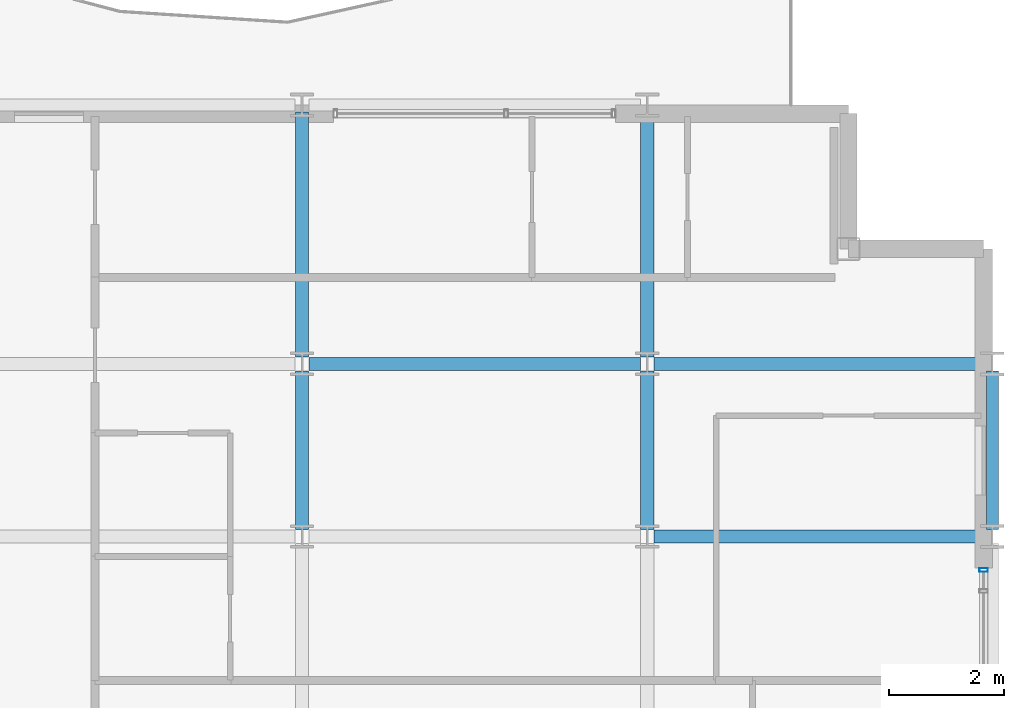
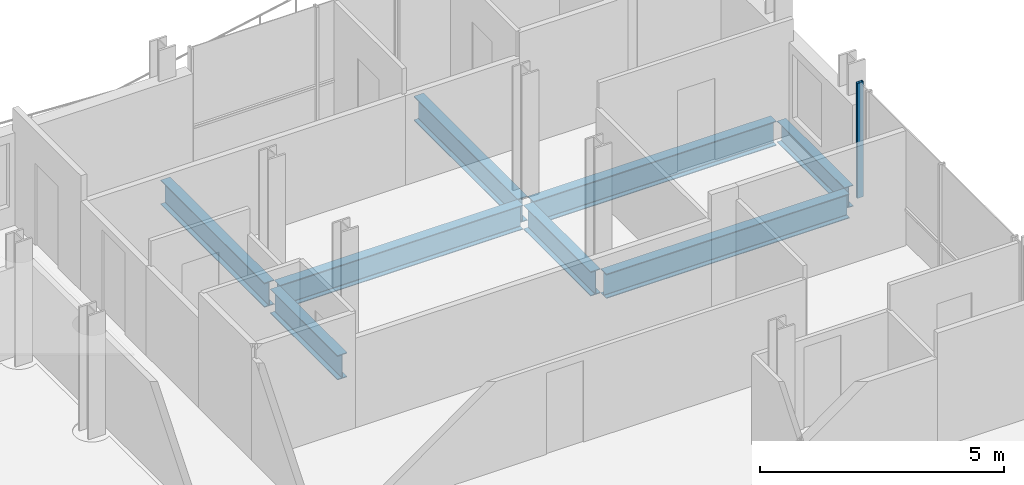
# One storey, part 22 of 41: 8 beams, 1 member, 1 element without a shape of its own.
"""IFC4 building model written with IfcOpenShell, lengths in metres."""

from ifc_helpers import new_model, si_unit, direction, frame, origin, origin_2d, place, context, subcontext, project, spatial, hollow_rectangle, i_section, extrude, material, layer, layer_set, material_profile, profile_set, type_object, element, aggregate, save


model = new_model("IFC4")

# Units and contexts
model_context = context("Model", 3, precision=1e-05, world=origin(), true_north=direction((0.0, 1.0)))
body_context = subcontext(model_context, "Body", "Model", "MODEL_VIEW")
ifc_project = project(units=[si_unit("LENGTHUNIT", "METRE"), si_unit("AREAUNIT", "SQUARE_METRE"), si_unit("VOLUMEUNIT", "CUBIC_METRE"), si_unit("PLANEANGLEUNIT", "RADIAN"), si_unit("MASSUNIT", "GRAM", prefix="KILO")], contexts=[model_context])

# Site, building, storey
site_placement = place(None, origin())
site = spatial("IfcSite", under=ifc_project, at=site_placement, CompositionType="ELEMENT")
building_placement = place(site_placement, origin())
building = spatial("IfcBuilding", under=site, at=building_placement, Name="Brevholm Reach", CompositionType="ELEMENT")
storey_placement = place(building_placement, frame((0.0, 0.0, 151.10009765625)))
storey = spatial("IfcBuildingStorey", under=building, at=storey_placement, Name="L45", CompositionType="ELEMENT", Elevation=151.10009765625)

# Beams
ifc_material_1 = material(Name="Structural Steel S355J2", Category="steel")
ifc_material_profile_1 = material_profile(ifc_material_1, i_section(OverallWidth=0.209228515625, OverallDepth=0.533203125, WebThickness=0.010009765625, FlangeThickness=0.015625, FilletRadius=0.0126953125, at=origin_2d()), Name="UKB 533x210x92")
ifc_profile_set_1 = profile_set([ifc_material_profile_1], Name="Structural Steel S355J2")
beam_type_1 = type_object("IfcBeamType", Name="BM-SP533", PredefinedType="SPANDREL", material=ifc_profile_set_1)
beam_1_placement = place(storey_placement, frame((60.0, 23.6201171875, -0.486572265625), z_axis=(0.0, 1.0, 0.0), x_axis=(-1.0, 0.0, 0.0)))
element("IfcBeam", 1, at=beam_1_placement, inside=storey, type_object=beam_type_1, Name="L45 SP-02 Framing Beam", PredefinedType="SPANDREL", context=body_context, shape_type="SweptSolid", body=[
    extrude(i_section(OverallWidth=0.209228515625, OverallDepth=0.533203125, WebThickness=0.010009765625, FlangeThickness=0.015625, FilletRadius=0.0126953125, at=origin_2d()), origin(), (0.0, 0.0, 1.0), 2.759765625),
])
ifc_material_2 = material(Name="Structural Steel S355J2", Category="steel")
ifc_material_profile_2 = material_profile(ifc_material_2, i_section(OverallWidth=0.22900390625, OverallDepth=0.6123046875, WebThickness=0.011962890625, FlangeThickness=0.01953125, FilletRadius=0.0126953125, at=origin_2d()), Name="UKB 610x229x125")
ifc_profile_set_2 = profile_set([ifc_material_profile_2], Name="Structural Steel S355J2")
beam_type_2 = type_object("IfcBeamType", Name="BM-SP610", PredefinedType="SPANDREL", material=ifc_profile_set_2)
for number, where, z_axis, x_axis, name in (
    (2, (54.1201171875, 23.5, -0.526123046875), (1.0, 0.0, 0.0), (0.0, 1.0, 0.0), "L45 SP-01 Framing Beam"),
    (3, (48.1201171875, 26.5, -0.526123046875), (1.0, 0.0, 0.0), (0.0, 1.0, 0.0), "L45 SP-01 Framing Beam"),
    (4, (54.1201171875, 26.5, -0.526123046875), (1.0, 0.0, 0.0), (0.0, 1.0, 0.0), "L45 SP-01 Framing Beam"),
):
    element("IfcBeam", number, at=place(storey_placement, frame(where, z_axis=z_axis, x_axis=x_axis)), inside=storey, type_object=beam_type_2, Name=name, PredefinedType="SPANDREL", context=body_context, shape_type="SweptSolid", body=[
        extrude(i_section(OverallWidth=0.22900390625, OverallDepth=0.6123046875, WebThickness=0.011962890625, FlangeThickness=0.01953125, FilletRadius=0.0126953125, at=origin_2d()), origin(), (0.0, 0.0, 1.0), 5.759765625),
    ])
beam_2_placement = place(storey_placement, frame((48.0, 23.6201171875, -0.526123046875), z_axis=(0.0, 1.0, 0.0), x_axis=(-1.0, 0.0, 0.0)))
element("IfcBeam", 5, at=beam_2_placement, inside=storey, type_object=beam_type_2, Name="L45 SP-01 Framing Beam", PredefinedType="SPANDREL", context=body_context, shape_type="SweptSolid", body=[
    extrude(i_section(OverallWidth=0.22900390625, OverallDepth=0.6123046875, WebThickness=0.011962890625, FlangeThickness=0.01953125, FilletRadius=0.0126953125, at=origin_2d()), origin(), (0.0, 0.0, 1.0), 2.759765625),
])
beam_3_placement = place(storey_placement, frame((48.0, 26.6201171875, -0.526123046875), z_axis=(0.0, 1.0, 0.0), x_axis=(-1.0, 0.0, 0.0)))
element("IfcBeam", 6, at=beam_3_placement, inside=storey, type_object=beam_type_2, Name="L45 SP-01 Framing Beam", PredefinedType="SPANDREL", context=body_context, shape_type="SweptSolid", body=[
    extrude(i_section(OverallWidth=0.22900390625, OverallDepth=0.6123046875, WebThickness=0.011962890625, FlangeThickness=0.01953125, FilletRadius=0.0126953125, at=origin_2d()), origin(), (0.0, 0.0, 1.0), 4.259765625),
])
beam_4_placement = place(storey_placement, frame((54.0, 23.6201171875, -0.526123046875), z_axis=(0.0, 1.0, 0.0), x_axis=(-1.0, 0.0, 0.0)))
element("IfcBeam", 7, at=beam_4_placement, inside=storey, type_object=beam_type_2, Name="L45 SP-01 Framing Beam", PredefinedType="SPANDREL", context=body_context, shape_type="SweptSolid", body=[
    extrude(i_section(OverallWidth=0.22900390625, OverallDepth=0.6123046875, WebThickness=0.011962890625, FlangeThickness=0.01953125, FilletRadius=0.0126953125, at=origin_2d()), origin(), (0.0, 0.0, 1.0), 2.759765625),
])
beam_5_placement = place(storey_placement, frame((54.0, 26.6201171875, -0.526123046875), z_axis=(0.0, 1.0, 0.0), x_axis=(-1.0, 0.0, 0.0)))
element("IfcBeam", 8, at=beam_5_placement, inside=storey, type_object=beam_type_2, Name="L45 SP-01 Framing Beam", PredefinedType="SPANDREL", context=body_context, shape_type="SweptSolid", body=[
    extrude(i_section(OverallWidth=0.22900390625, OverallDepth=0.6123046875, WebThickness=0.011962890625, FlangeThickness=0.01953125, FilletRadius=0.0126953125, at=origin_2d()), origin(), (0.0, 0.0, 1.0), 4.259765625),
])

# Curtain wall, member
ifc_material_3 = material(Name="Dark Anodised Aluminium 6063-T6 and Solar-Control Glass", Category="aluminium")
ifc_layer = layer(ifc_material_3, 0.14990234375)
ifc_layer_set = layer_set([ifc_layer], Name="Dark Anodised Aluminium 6063-T6 and Solar-Control Glass")
curtain_wall_type = type_object("IfcCurtainWallType", Name="CW-01", PredefinedType="NOTDEFINED", material=ifc_layer_set)
curtain_wall_placement = place(storey_placement, origin())
curtain_wall = element("IfcCurtainWall", 9, at=curtain_wall_placement, inside=storey, type_object=curtain_wall_type, Name="L45 Curtain Wall CW-01", PredefinedType="NOTDEFINED")
ifc_material_4 = material(Name="Dark Anodised Aluminium 6063-T6", Category="aluminium")
ifc_material_profile_3 = material_profile(ifc_material_4, hollow_rectangle(XDim=0.06494140625, YDim=0.14990234375, WallThickness=0.0048828125, InnerFilletRadius=0.0048828125, OuterFilletRadius=0.010009765625, at=origin_2d()), Name="RHS 150x65x5")
ifc_profile_set_3 = profile_set([ifc_material_profile_3], Name="Dark Anodised Aluminium 6063-T6")
member_type = type_object("IfcMemberType", Name="CWM-150", PredefinedType="MULLION", material=ifc_profile_set_3)
member_placement = place(storey_placement, frame((59.85009765625, 22.91748046875, 0.0), z_axis=(0.0, 0.0, 1.0), x_axis=(0.0, 1.0, 0.0)))
member = element("IfcMember", 10, at=member_placement, type_object=member_type, Name="CM-150 Mullion 6", PredefinedType="MULLION", context=body_context, shape_type="SweptSolid", body=[
    extrude(hollow_rectangle(XDim=0.06494140625, YDim=0.14990234375, WallThickness=0.0048828125, InnerFilletRadius=0.0048828125, OuterFilletRadius=0.010009765625, at=origin_2d()), origin(), (0.0, 0.0, 1.0), 2.8798828125),
])
aggregate(curtain_wall, [member])

save(model, "model.ifc")
